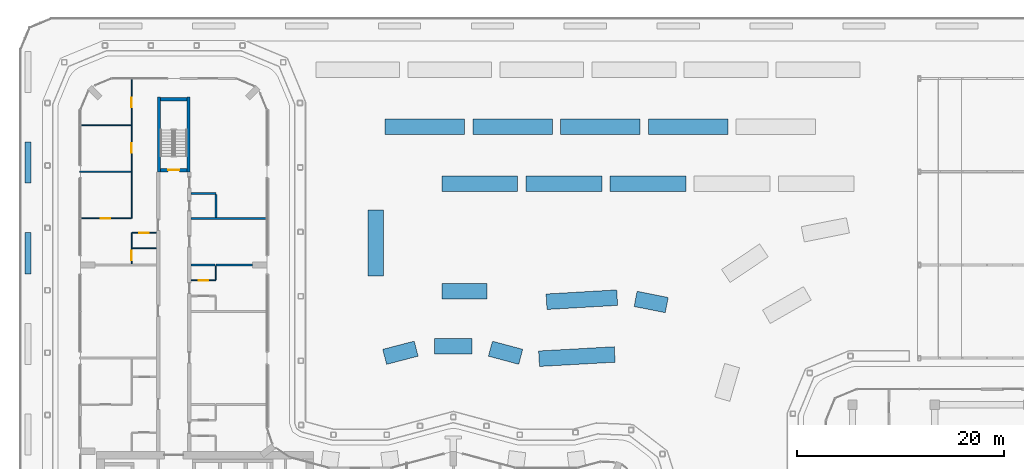
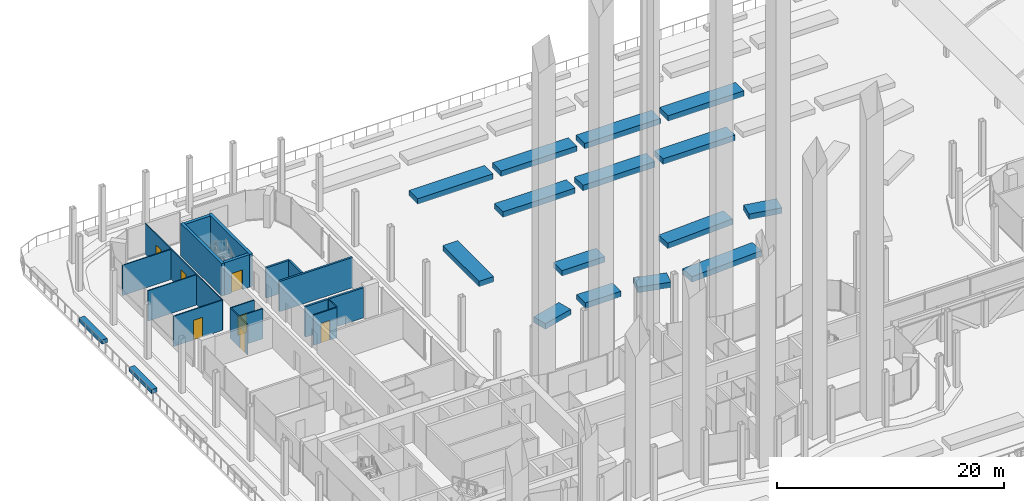
# One storey, part 26 of 33: 35 walls, 7 doors, 7 openings.
"""IFC4 building model written with IfcOpenShell, lengths in metres."""

from ifc_helpers import new_model, si_unit, direction, frame, frame_2d, origin, place, context, subcontext, project, spatial, rectangle, extrude, material, layer, layer_set, type_object, element, fill, save


model = new_model("IFC4")

# Units and contexts
model_context = context("Model", 3, precision=1e-05, world=origin(), true_north=direction((0.0, 1.0)))
body_context = subcontext(model_context, "Body", "Model", "MODEL_VIEW")
ifc_project = project(units=[si_unit("LENGTHUNIT", "METRE"), si_unit("AREAUNIT", "SQUARE_METRE"), si_unit("VOLUMEUNIT", "CUBIC_METRE"), si_unit("PLANEANGLEUNIT", "RADIAN"), si_unit("MASSUNIT", "GRAM", prefix="KILO")], contexts=[model_context])

# Site, building, storey
site_placement = place(None, origin())
site = spatial("IfcSite", under=ifc_project, at=site_placement, CompositionType="ELEMENT")
building_placement = place(site_placement, origin())
building = spatial("IfcBuilding", under=site, at=building_placement, Name="Plateau Cross Towers", CompositionType="ELEMENT")
storey_placement = place(building_placement, frame((0.0, 0.0, 26.800048828125)))
storey = spatial("IfcBuildingStorey", under=building, at=storey_placement, Name="L05", CompositionType="ELEMENT", Elevation=26.800048828125)

# Wall, opening, door
ifc_material_1 = material(Name="Gypsum board on steel studs", Category="steel")
ifc_layer_1 = layer(ifc_material_1, 0.10009765625)
ifc_layer_set_1 = layer_set([ifc_layer_1], Name="Gypsum board on steel studs")
wall_type_1 = type_object("IfcWallType", Name="Flat partition 100", PredefinedType="PARTITIONING", material=ifc_layer_set_1)
wall_1_placement = place(storey_placement, frame((10.675048828125, 34.5, 0.0), z_axis=(0.0, 0.0, 1.0), x_axis=(1.0, 0.0, 0.0)))
wall_1 = element("IfcWall", 1, at=wall_1_placement, inside=storey, type_object=wall_type_1, Name="Partition wall", PredefinedType="PARTITIONING", context=body_context, shape_type="SweptSolid", body=[
    extrude(rectangle(XDim=2.39990234375, YDim=0.10009765625, at=frame_2d((1.199951171875, 0.0))), origin(), (0.0, 0.0, 1.0), 3.25),
])
opening_1_placement = place(wall_1_placement, frame((0.75, 0.0, 0.0)))
opening_1 = element("IfcOpeningElement", 2, at=opening_1_placement, cuts=wall_1, Name="Opening 05-38", PredefinedType="OPENING", context=body_context, shape_type="SweptSolid", body=[
    extrude(rectangle(XDim=0.89990234375, YDim=2.10009765625, at=frame_2d((0.449951171875, 1.050048828125))), frame((0.0, 0.06005859375, 0.0), z_axis=(0.0, -1.0, 0.0), x_axis=(1.0, 0.0, 0.0)), (0.0, 0.0, 1.0), 0.1201171875),
])
ifc_material_2 = material(Name="Timber leaf", Category="wood")
door_type_1 = type_object("IfcDoorType", Name="Flat room door 900", OperationType="NOTDEFINED", PredefinedType="DOOR", material=ifc_material_2)
door_1_placement = place(opening_1_placement, origin())
door_1 = element("IfcDoor", 3, at=door_1_placement, inside=storey, type_object=door_type_1, Name="Door 05-38", OperationType="SINGLE_SWING_RIGHT", OverallHeight=2.10009765625, OverallWidth=0.89990234375, PredefinedType="DOOR", context=body_context, shape_type="SweptSolid", body=[
    extrude(rectangle(XDim=0.89990234375, YDim=2.10009765625, at=frame_2d((0.449951171875, 1.050048828125))), frame((0.0, 0.02490234375, 0.0), z_axis=(0.0, -1.0, 0.0), x_axis=(1.0, 0.0, 0.0)), (0.0, 0.0, 1.0), 0.050048828125),
])
fill(opening_1, door_1)

# Wall
wall_2_placement = place(storey_placement, frame((7.324951171875, 37.60009765625, 0.0), z_axis=(0.0, 0.0, 1.0), x_axis=(-1.0, 0.0, 0.0)))
element("IfcWall", 4, at=wall_2_placement, inside=storey, type_object=wall_type_1, Name="Partition wall", PredefinedType="PARTITIONING", context=body_context, shape_type="SweptSolid", body=[
    extrude(rectangle(XDim=2.349853515625, YDim=0.10009765625, at=frame_2d((1.1748046875, 0.0))), origin(), (0.0, 0.0, 1.0), 3.25),
])

# Wall, opening, door
wall_3_placement = place(storey_placement, frame((7.324951171875, 39.10009765625, 0.0), z_axis=(0.0, 0.0, 1.0), x_axis=(-1.0, 0.0, 0.0)))
wall_3 = element("IfcWall", 5, at=wall_3_placement, inside=storey, type_object=wall_type_1, Name="Partition wall", PredefinedType="PARTITIONING", context=body_context, shape_type="SweptSolid", body=[
    extrude(rectangle(XDim=2.349853515625, YDim=0.10009765625, at=frame_2d((1.1748046875, 0.0))), origin(), (0.0, 0.0, 1.0), 3.25),
])
opening_2_placement = place(wall_3_placement, frame((0.75, 0.0, 0.0)))
opening_2 = element("IfcOpeningElement", 6, at=opening_2_placement, cuts=wall_3, Name="Opening 05-31", PredefinedType="OPENING", context=body_context, shape_type="SweptSolid", body=[
    extrude(rectangle(XDim=0.89990234375, YDim=2.10009765625, at=frame_2d((0.449951171875, 1.050048828125))), frame((0.0, 0.06005859375, 0.0), z_axis=(0.0, -1.0, 0.0), x_axis=(1.0, 0.0, 0.0)), (0.0, 0.0, 1.0), 0.1201171875),
])
door_2_placement = place(opening_2_placement, origin())
door_2 = element("IfcDoor", 7, at=door_2_placement, inside=storey, type_object=door_type_1, Name="Door 05-31", OperationType="SINGLE_SWING_RIGHT", OverallHeight=2.10009765625, OverallWidth=0.89990234375, PredefinedType="DOOR", context=body_context, shape_type="SweptSolid", body=[
    extrude(rectangle(XDim=0.89990234375, YDim=2.10009765625, at=frame_2d((0.449951171875, 1.050048828125))), frame((0.0, 0.02490234375, 0.0), z_axis=(0.0, -1.0, 0.0), x_axis=(1.0, 0.0, 0.0)), (0.0, 0.0, 1.0), 0.050048828125),
])
fill(opening_2, door_2)

wall_4_placement = place(storey_placement, frame((-0.080078125, 40.5, 0.0), z_axis=(0.0, 0.0, 1.0), x_axis=(1.0, 0.0, 0.0)))
wall_4 = element("IfcWall", 8, at=wall_4_placement, inside=storey, type_object=wall_type_1, Name="Partition wall", PredefinedType="PARTITIONING", context=body_context, shape_type="SweptSolid", body=[
    extrude(rectangle(XDim=4.955078125, YDim=0.10009765625, at=frame_2d((2.4775390625, 0.0))), origin(), (0.0, 0.0, 1.0), 3.25),
])
opening_3_placement = place(wall_4_placement, frame((2.050048828125, 0.0, 0.0)))
opening_3 = element("IfcOpeningElement", 9, at=opening_3_placement, cuts=wall_4, Name="Opening 05-32", PredefinedType="OPENING", context=body_context, shape_type="SweptSolid", body=[
    extrude(rectangle(XDim=0.89990234375, YDim=2.10009765625, at=frame_2d((0.449951171875, 1.050048828125))), frame((0.0, 0.06005859375, 0.0), z_axis=(0.0, -1.0, 0.0), x_axis=(1.0, 0.0, 0.0)), (0.0, 0.0, 1.0), 0.1201171875),
])
door_3_placement = place(opening_3_placement, origin())
door_3 = element("IfcDoor", 10, at=door_3_placement, inside=storey, type_object=door_type_1, Name="Door 05-32", OperationType="SINGLE_SWING_RIGHT", OverallHeight=2.10009765625, OverallWidth=0.89990234375, PredefinedType="DOOR", context=body_context, shape_type="SweptSolid", body=[
    extrude(rectangle(XDim=0.89990234375, YDim=2.10009765625, at=frame_2d((0.449951171875, 1.050048828125))), frame((0.0, 0.02490234375, 0.0), z_axis=(0.0, -1.0, 0.0), x_axis=(1.0, 0.0, 0.0)), (0.0, 0.0, 1.0), 0.050048828125),
])
fill(opening_3, door_3)

# Walls
for number, where, z_axis, x_axis, name in (
    (11, (4.875, 45.0, 0.0), (0.0, 0.0, 1.0), (-1.0, 0.0, 0.0), "Partition wall"),
    (12, (4.875, 49.5, 0.0), (0.0, 0.0, 1.0), (-1.0, 0.0, 0.0), "Partition wall"),
):
    element("IfcWall", number, at=place(storey_placement, frame(where, z_axis=z_axis, x_axis=x_axis)), inside=storey, type_object=wall_type_1, Name=name, PredefinedType="PARTITIONING", context=body_context, shape_type="SweptSolid", body=[
        extrude(rectangle(XDim=4.955078125, YDim=0.10009765625, at=frame_2d((2.4775390625, 0.0))), origin(), (0.0, 0.0, 1.0), 3.25),
    ])

# Wall, opening, door
wall_5_placement = place(storey_placement, frame((4.925048828125, 39.10009765625, 0.0), z_axis=(0.0, 0.0, 1.0), x_axis=(0.0, -1.0, 0.0)))
wall_5 = element("IfcWall", 13, at=wall_5_placement, inside=storey, type_object=wall_type_1, Name="Partition wall", PredefinedType="PARTITIONING", context=body_context, shape_type="SweptSolid", body=[
    extrude(rectangle(XDim=3.0, YDim=0.10009765625, at=frame_2d((1.5, 0.0))), origin(), (0.0, 0.0, 1.0), 3.25),
])
opening_4_placement = place(wall_5_placement, frame((1.75, 0.0, 0.0)))
opening_4 = element("IfcOpeningElement", 14, at=opening_4_placement, cuts=wall_5, Name="Opening 05-30", PredefinedType="OPENING", context=body_context, shape_type="SweptSolid", body=[
    extrude(rectangle(XDim=0.89990234375, YDim=2.10009765625, at=frame_2d((0.449951171875, 1.050048828125))), frame((0.0, 0.06005859375, 0.0), z_axis=(0.0, -1.0, 0.0), x_axis=(1.0, 0.0, 0.0)), (0.0, 0.0, 1.0), 0.1201171875),
])
door_4_placement = place(opening_4_placement, origin())
door_4 = element("IfcDoor", 15, at=door_4_placement, inside=storey, type_object=door_type_1, Name="Door 05-30", OperationType="SINGLE_SWING_RIGHT", OverallHeight=2.10009765625, OverallWidth=0.89990234375, PredefinedType="DOOR", context=body_context, shape_type="SweptSolid", body=[
    extrude(rectangle(XDim=0.89990234375, YDim=2.10009765625, at=frame_2d((0.449951171875, 1.050048828125))), frame((0.0, 0.02490234375, 0.0), z_axis=(0.0, -1.0, 0.0), x_axis=(1.0, 0.0, 0.0)), (0.0, 0.0, 1.0), 0.050048828125),
])
fill(opening_4, door_4)

# Wall, openings, doors
wall_6_placement = place(storey_placement, frame((4.925048828125, 40.5, 0.0), z_axis=(0.0, 0.0, 1.0), x_axis=(0.0, 1.0, 0.0)))
wall_6 = element("IfcWall", 16, at=wall_6_placement, inside=storey, type_object=wall_type_1, Name="Partition wall", PredefinedType="PARTITIONING", context=body_context, shape_type="SweptSolid", body=[
    extrude(rectangle(XDim=13.580078125, YDim=0.10009765625, at=frame_2d((6.7900390625, 0.0))), origin(), (0.0, 0.0, 1.0), 3.25),
])
opening_5_placement = place(wall_6_placement, frame((6.35009765625, 0.0, 0.0)))
opening_5 = element("IfcOpeningElement", 17, at=opening_5_placement, cuts=wall_6, Name="Opening 05-33", PredefinedType="OPENING", context=body_context, shape_type="SweptSolid", body=[
    extrude(rectangle(XDim=0.89990234375, YDim=2.10009765625, at=frame_2d((0.449951171875, 1.050048828125))), frame((0.0, 0.06005859375, 0.0), z_axis=(0.0, -1.0, 0.0), x_axis=(1.0, 0.0, 0.0)), (0.0, 0.0, 1.0), 0.1201171875),
])
opening_6_placement = place(wall_6_placement, frame((10.75, 0.0, 0.0)))
opening_6 = element("IfcOpeningElement", 18, at=opening_6_placement, cuts=wall_6, Name="Opening 05-34", PredefinedType="OPENING", context=body_context, shape_type="SweptSolid", body=[
    extrude(rectangle(XDim=0.89990234375, YDim=2.10009765625, at=frame_2d((0.449951171875, 1.050048828125))), frame((0.0, 0.06005859375, 0.0), z_axis=(0.0, -1.0, 0.0), x_axis=(1.0, 0.0, 0.0)), (0.0, 0.0, 1.0), 0.1201171875),
])
door_5_placement = place(opening_5_placement, origin())
door_5 = element("IfcDoor", 19, at=door_5_placement, inside=storey, type_object=door_type_1, Name="Door 05-33", OperationType="SINGLE_SWING_RIGHT", OverallHeight=2.10009765625, OverallWidth=0.89990234375, PredefinedType="DOOR", context=body_context, shape_type="SweptSolid", body=[
    extrude(rectangle(XDim=0.89990234375, YDim=2.10009765625, at=frame_2d((0.449951171875, 1.050048828125))), frame((0.0, 0.02490234375, 0.0), z_axis=(0.0, -1.0, 0.0), x_axis=(1.0, 0.0, 0.0)), (0.0, 0.0, 1.0), 0.050048828125),
])
fill(opening_5, door_5)
door_6_placement = place(opening_6_placement, origin())
door_6 = element("IfcDoor", 20, at=door_6_placement, inside=storey, type_object=door_type_1, Name="Door 05-34", OperationType="SINGLE_SWING_RIGHT", OverallHeight=2.10009765625, OverallWidth=0.89990234375, PredefinedType="DOOR", context=body_context, shape_type="SweptSolid", body=[
    extrude(rectangle(XDim=0.89990234375, YDim=2.10009765625, at=frame_2d((0.449951171875, 1.050048828125))), frame((0.0, 0.02490234375, 0.0), z_axis=(0.0, -1.0, 0.0), x_axis=(1.0, 0.0, 0.0)), (0.0, 0.0, 1.0), 0.050048828125),
])
fill(opening_6, door_6)

# Walls
wall_7_placement = place(storey_placement, frame((13.074951171875, 34.550048828125, 0.0), z_axis=(0.0, 0.0, 1.0), x_axis=(0.0, 1.0, 0.0)))
element("IfcWall", 21, at=wall_7_placement, inside=storey, type_object=wall_type_1, Name="Partition wall", PredefinedType="PARTITIONING", context=body_context, shape_type="SweptSolid", body=[
    extrude(rectangle(XDim=1.349853515625, YDim=0.10009765625, at=frame_2d((0.6748046875, 0.0))), origin(), (0.0, 0.0, 1.0), 3.25),
])
ifc_material_3 = material(Name="Gypsum board on steel studs, two layers each side", Category="steel")
ifc_layer_2 = layer(ifc_material_3, 0.199951171875)
ifc_layer_set_2 = layer_set([ifc_layer_2], Name="Gypsum board on steel studs, two layers each side")
wall_type_2 = type_object("IfcWallType", Name="Flat party wall 200", PredefinedType="PARTITIONING", material=ifc_layer_set_2)
wall_8_placement = place(storey_placement, frame((12.97509765625, 36.0, 0.0), z_axis=(0.0, 0.0, 1.0), x_axis=(-1.0, 0.0, 0.0)))
element("IfcWall", 22, at=wall_8_placement, inside=storey, type_object=wall_type_2, Name="Party wall", PredefinedType="PARTITIONING", context=body_context, shape_type="SweptSolid", body=[
    extrude(rectangle(XDim=2.300048828125, YDim=0.199951171875, at=frame_2d((1.14990234375, 0.0))), origin(), (0.0, 0.0, 1.0), 3.25),
])
wall_9_placement = place(storey_placement, frame((13.074951171875, 36.0, 0.0), z_axis=(0.0, 0.0, 1.0), x_axis=(1.0, 0.0, 0.0)))
element("IfcWall", 23, at=wall_9_placement, inside=storey, type_object=wall_type_2, Name="Party wall", PredefinedType="PARTITIONING", context=body_context, shape_type="SweptSolid", body=[
    extrude(rectangle(XDim=3.525146484375, YDim=0.199951171875, at=frame_2d((1.7626953125, 0.0))), origin(), (0.0, 0.0, 1.0), 3.25),
])
wall_10_placement = place(storey_placement, frame((18.080078125, 40.5, 0.0), z_axis=(0.0, 0.0, 1.0), x_axis=(-1.0, 0.0, 0.0)))
element("IfcWall", 24, at=wall_10_placement, inside=storey, type_object=wall_type_2, Name="Party wall", PredefinedType="PARTITIONING", context=body_context, shape_type="SweptSolid", body=[
    extrude(rectangle(XDim=7.405029296875, YDim=0.199951171875, at=frame_2d((3.70263671875, 0.0))), origin(), (0.0, 0.0, 1.0), 3.25),
])
wall_11_placement = place(storey_placement, frame((13.074951171875, 42.89990234375, 0.0), z_axis=(0.0, 0.0, 1.0), x_axis=(-1.0, 0.0, 0.0)))
element("IfcWall", 25, at=wall_11_placement, inside=storey, type_object=wall_type_2, Name="Party wall", PredefinedType="PARTITIONING", context=body_context, shape_type="SweptSolid", body=[
    extrude(rectangle(XDim=2.39990234375, YDim=0.199951171875, at=frame_2d((1.199951171875, 0.0))), origin(), (0.0, 0.0, 1.0), 3.25),
])
wall_12_placement = place(storey_placement, frame((13.074951171875, 40.60009765625, 0.0), z_axis=(0.0, 0.0, 1.0), x_axis=(0.0, 1.0, 0.0)))
element("IfcWall", 26, at=wall_12_placement, inside=storey, type_object=wall_type_2, Name="Party wall", PredefinedType="PARTITIONING", context=body_context, shape_type="SweptSolid", body=[
    extrude(rectangle(XDim=2.199951171875, YDim=0.199951171875, at=frame_2d((1.10009765625, 0.0))), origin(), (0.0, 0.0, 1.0), 3.25),
])
ifc_material_4 = material(Name="Concrete C30/37", Category="concrete")
ifc_layer_3 = layer(ifc_material_4, 0.550048828125)
ifc_layer_set_3 = layer_set([ifc_layer_3], Name="Concrete C30/37")
wall_type_3 = type_object("IfcWallType", Name="Planter upstand 550", PredefinedType="STANDARD", material=ifc_layer_set_3)
for number, where, z_axis, x_axis, name in (
    (27, (-5.0849609375, 35.145263671875, 0.0), (0.0, 0.0, 1.0), (0.0, 1.0, 0.0), "Planter 6"),
    (28, (-5.0849609375, 43.901611328125, 0.0), (0.0, 0.0, 1.0), (0.0, 1.0, 0.0), "Planter 7"),
):
    element("IfcWall", number, at=place(storey_placement, frame(where, z_axis=z_axis, x_axis=x_axis)), inside=storey, type_object=wall_type_3, Name=name, PredefinedType="STANDARD", context=body_context, shape_type="SweptSolid", body=[
        extrude(rectangle(XDim=3.978271484375, YDim=0.550048828125, at=frame_2d((1.9892578125, 0.0))), origin(), (0.0, 0.0, 1.0), 0.449951171875),
    ])
ifc_layer_4 = layer(ifc_material_4, 1.5)
ifc_layer_set_4 = layer_set([ifc_layer_4], Name="Concrete C30/37")
wall_type_4 = type_object("IfcWallType", Name="Planting bed 1500", PredefinedType="STANDARD", material=ifc_layer_set_4)
wall_13_placement = place(storey_placement, frame((29.39990234375, 49.35009765625, 0.0), z_axis=(0.0, 0.0, 1.0), x_axis=(1.0, 0.0, 0.0)))
element("IfcWall", 29, at=wall_13_placement, inside=storey, type_object=wall_type_4, Name="Planter bed 18", PredefinedType="STANDARD", context=body_context, shape_type="SweptSolid", body=[
    extrude(rectangle(XDim=7.681396484375, YDim=1.5, at=frame_2d((3.8408203125, 0.0))), origin(), (0.0, 0.0, 1.0), 0.599853515625),
])
for number, where, z_axis, x_axis, name in (
    (30, (37.88134765625, 49.35009765625, 0.0), (0.0, 0.0, 1.0), (1.0, 0.0, 0.0), "Planter bed 19"),
    (31, (46.362548828125, 49.35009765625, 0.0), (0.0, 0.0, 1.0), (1.0, 0.0, 0.0), "Planter bed 20"),
    (32, (54.84375, 49.35009765625, 0.0), (0.0, 0.0, 1.0), (1.0, 0.0, 0.0), "Planter bed 21"),
):
    element("IfcWall", number, at=place(storey_placement, frame(where, z_axis=z_axis, x_axis=x_axis)), inside=storey, type_object=wall_type_4, Name=name, PredefinedType="STANDARD", context=body_context, shape_type="SweptSolid", body=[
        extrude(rectangle(XDim=7.68115234375, YDim=1.5, at=frame_2d((3.840576171875, 0.0))), origin(), (0.0, 0.0, 1.0), 0.599853515625),
    ])
wall_14_placement = place(storey_placement, frame((51.586669921875, 27.349853515625, 0.0), z_axis=(0.0, 0.0, 1.0), x_axis=(-0.998454084867, -0.055582734834, 0.0)))
element("IfcWall", 33, at=wall_14_placement, inside=storey, type_object=wall_type_4, Name="Planter bed 25", PredefinedType="STANDARD", context=body_context, shape_type="SweptSolid", body=[
    extrude(rectangle(XDim=7.317626953125, YDim=1.5, at=frame_2d((3.65869140625, 0.0))), origin(), (0.0, 0.0, 1.0), 0.599853515625),
])
wall_15_placement = place(storey_placement, frame((42.51220703125, 27.1259765625, 0.0), z_axis=(0.0, 0.0, 1.0), x_axis=(-0.965964233611, 0.258675664461, 0.0)))
element("IfcWall", 34, at=wall_15_placement, inside=storey, type_object=wall_type_4, Name="Planter bed 26", PredefinedType="STANDARD", context=body_context, shape_type="SweptSolid", body=[
    extrude(rectangle(XDim=3.029541015625, YDim=1.5, at=frame_2d((1.5146484375, 0.0))), origin(), (0.0, 0.0, 1.0), 0.599853515625),
])
wall_16_placement = place(storey_placement, frame((37.81640625, 28.142578125, 0.0), z_axis=(0.0, 0.0, 1.0), x_axis=(-1.0, 0.0, 0.0)))
element("IfcWall", 35, at=wall_16_placement, inside=storey, type_object=wall_type_4, Name="Planter bed 27", PredefinedType="STANDARD", context=body_context, shape_type="SweptSolid", body=[
    extrude(rectangle(XDim=3.6328125, YDim=1.5, at=frame_2d((1.81640625, 0.0))), origin(), (0.0, 0.0, 1.0), 0.599853515625),
])
wall_17_placement = place(storey_placement, frame((32.412841796875, 27.9150390625, 0.0), z_axis=(0.0, 0.0, 1.0), x_axis=(-0.967549618193, -0.252681096116, 0.0)))
element("IfcWall", 36, at=wall_17_placement, inside=storey, type_object=wall_type_4, Name="Planter bed 28", PredefinedType="STANDARD", context=body_context, shape_type="SweptSolid", body=[
    extrude(rectangle(XDim=3.14404296875, YDim=1.5, at=frame_2d((1.572021484375, 0.0))), origin(), (0.0, 0.0, 1.0), 0.599853515625),
])
wall_18_placement = place(storey_placement, frame((28.5, 34.9453125, 0.0), z_axis=(0.0, 0.0, 1.0), x_axis=(0.0, 1.0, 0.0)))
element("IfcWall", 37, at=wall_18_placement, inside=storey, type_object=wall_type_4, Name="Planter bed 29", PredefinedType="STANDARD", context=body_context, shape_type="SweptSolid", body=[
    extrude(rectangle(XDim=6.352294921875, YDim=1.5, at=frame_2d((3.17626953125, 0.0))), origin(), (0.0, 0.0, 1.0), 0.599853515625),
])
wall_19_placement = place(storey_placement, frame((34.89990234375, 43.85009765625, 0.0), z_axis=(0.0, 0.0, 1.0), x_axis=(1.0, 0.0, 0.0)))
element("IfcWall", 38, at=wall_19_placement, inside=storey, type_object=wall_type_4, Name="Planter bed 30", PredefinedType="STANDARD", context=body_context, shape_type="SweptSolid", body=[
    extrude(rectangle(XDim=7.321533203125, YDim=1.5, at=frame_2d((3.66064453125, 0.0))), origin(), (0.0, 0.0, 1.0), 0.599853515625),
])
wall_20_placement = place(storey_placement, frame((43.021484375, 43.85009765625, 0.0), z_axis=(0.0, 0.0, 1.0), x_axis=(1.0, 0.0, 0.0)))
element("IfcWall", 39, at=wall_20_placement, inside=storey, type_object=wall_type_4, Name="Planter bed 31", PredefinedType="STANDARD", context=body_context, shape_type="SweptSolid", body=[
    extrude(rectangle(XDim=7.3212890625, YDim=1.5, at=frame_2d((3.66064453125, 0.0))), origin(), (0.0, 0.0, 1.0), 0.599853515625),
])
wall_21_placement = place(storey_placement, frame((51.142822265625, 43.85009765625, 0.0), z_axis=(0.0, 0.0, 1.0), x_axis=(1.0, 0.0, 0.0)))
element("IfcWall", 40, at=wall_21_placement, inside=storey, type_object=wall_type_4, Name="Planter bed 32", PredefinedType="STANDARD", context=body_context, shape_type="SweptSolid", body=[
    extrude(rectangle(XDim=7.321533203125, YDim=1.5, at=frame_2d((3.66064453125, 0.0))), origin(), (0.0, 0.0, 1.0), 0.599853515625),
])
wall_22_placement = place(storey_placement, frame((56.6171875, 32.1201171875, 0.0), z_axis=(0.0, 0.0, 1.0), x_axis=(-0.980773051433, 0.195151791132, 0.0)))
element("IfcWall", 41, at=wall_22_placement, inside=storey, type_object=wall_type_4, Name="Planter bed 37", PredefinedType="STANDARD", context=body_context, shape_type="SweptSolid", body=[
    extrude(rectangle(XDim=3.067626953125, YDim=1.5, at=frame_2d((1.53369140625, 0.0))), origin(), (0.0, 0.0, 1.0), 0.599853515625),
])
wall_23_placement = place(storey_placement, frame((51.827392578125, 32.84228515625, 0.0), z_axis=(0.0, 0.0, 1.0), x_axis=(-0.998311979144, -0.058079189885, 0.0)))
element("IfcWall", 42, at=wall_23_placement, inside=storey, type_object=wall_type_4, Name="Planter bed 38", PredefinedType="STANDARD", context=body_context, shape_type="SweptSolid", body=[
    extrude(rectangle(XDim=6.8349609375, YDim=1.5, at=frame_2d((3.41748046875, 0.0))), origin(), (0.0, 0.0, 1.0), 0.599853515625),
])
wall_24_placement = place(storey_placement, frame((39.2392578125, 33.455322265625, 0.0), z_axis=(0.0, 0.0, 1.0), x_axis=(-1.0, 0.0, 0.0)))
element("IfcWall", 43, at=wall_24_placement, inside=storey, type_object=wall_type_4, Name="Planter bed 39", PredefinedType="STANDARD", context=body_context, shape_type="SweptSolid", body=[
    extrude(rectangle(XDim=4.33935546875, YDim=1.5, at=frame_2d((2.169677734375, 0.0))), origin(), (0.0, 0.0, 1.0), 0.599853515625),
])

# Wall, opening, door
ifc_material_5 = material(Name="Concrete C60/75", Category="concrete")
ifc_layer_5 = layer(ifc_material_5, 0.300048828125)
ifc_layer_set_5 = layer_set([ifc_layer_5], Name="Concrete C60/75")
wall_type_5 = type_object("IfcWallType", Name="Stair tower wall 300", PredefinedType="SHEAR", material=ifc_layer_set_5)
wall_25_placement = place(storey_placement, frame((7.72509765625, 45.14990234375, 0.0), z_axis=(0.0, 0.0, 1.0), x_axis=(1.0, 0.0, 0.0)))
wall_25 = element("IfcWall", 44, at=wall_25_placement, inside=storey, type_object=wall_type_5, Name="A-end-N-S@L05", PredefinedType="SHEAR", context=body_context, shape_type="SweptSolid", body=[
    extrude(rectangle(XDim=2.5498046875, YDim=0.300048828125, at=frame_2d((1.27490234375, 0.0))), origin(), (0.0, 0.0, 1.0), 3.5),
])
opening_7_placement = place(wall_25_placement, frame((0.72509765625, 0.0, 0.0)))
opening_7 = element("IfcOpeningElement", 45, at=opening_7_placement, cuts=wall_25, Name="Opening SD", PredefinedType="OPENING", context=body_context, shape_type="SweptSolid", body=[
    extrude(rectangle(XDim=1.10009765625, YDim=2.10009765625, at=frame_2d((0.550048828125, 1.050048828125))), frame((0.0, 0.159912109375, 0.0), z_axis=(0.0, -1.0, 0.0), x_axis=(1.0, 0.0, 0.0)), (0.0, 0.0, 1.0), 0.320068359375),
])
ifc_material_6 = material(Name="Steel, fire-resisting leaf", Category="steel")
door_type_2 = type_object("IfcDoorType", Name="Stair door 1100", OperationType="NOTDEFINED", PredefinedType="DOOR", material=ifc_material_6)
door_7_placement = place(opening_7_placement, origin())
door_7 = element("IfcDoor", 46, at=door_7_placement, inside=storey, type_object=door_type_2, Name="Stair door SD", OperationType="SINGLE_SWING_LEFT", OverallHeight=2.10009765625, OverallWidth=1.10009765625, PredefinedType="DOOR", context=body_context, shape_type="SweptSolid", body=[
    extrude(rectangle(XDim=1.10009765625, YDim=2.10009765625, at=frame_2d((0.550048828125, 1.050048828125))), frame((0.0, 0.02490234375, 0.0), z_axis=(0.0, -1.0, 0.0), x_axis=(1.0, 0.0, 0.0)), (0.0, 0.0, 1.0), 0.050048828125),
])
fill(opening_7, door_7)

# Walls
wall_26_placement = place(storey_placement, frame((7.72509765625, 52.0, 0.0), z_axis=(0.0, 0.0, 1.0), x_axis=(1.0, 0.0, 0.0)))
element("IfcWall", 47, at=wall_26_placement, inside=storey, type_object=wall_type_5, Name="A-end-N-N@L05", PredefinedType="SHEAR", context=body_context, shape_type="SweptSolid", body=[
    extrude(rectangle(XDim=2.5498046875, YDim=0.300048828125, at=frame_2d((1.27490234375, 0.0))), origin(), (0.0, 0.0, 1.0), 3.5),
])
for number, where, z_axis, x_axis, name in (
    (48, (7.574951171875, 45.0, 0.0), (0.0, 0.0, 1.0), (0.0, 1.0, 0.0), "A-end-N-W@L05"),
    (49, (10.425048828125, 45.0, 0.0), (0.0, 0.0, 1.0), (0.0, 1.0, 0.0), "A-end-N-E@L05"),
):
    element("IfcWall", number, at=place(storey_placement, frame(where, z_axis=z_axis, x_axis=x_axis)), inside=storey, type_object=wall_type_5, Name=name, PredefinedType="SHEAR", context=body_context, shape_type="SweptSolid", body=[
        extrude(rectangle(XDim=7.199951171875, YDim=0.300048828125, at=frame_2d((3.60009765625, 0.0))), origin(), (0.0, 0.0, 1.0), 3.5),
    ])

save(model, "model.ifc")
